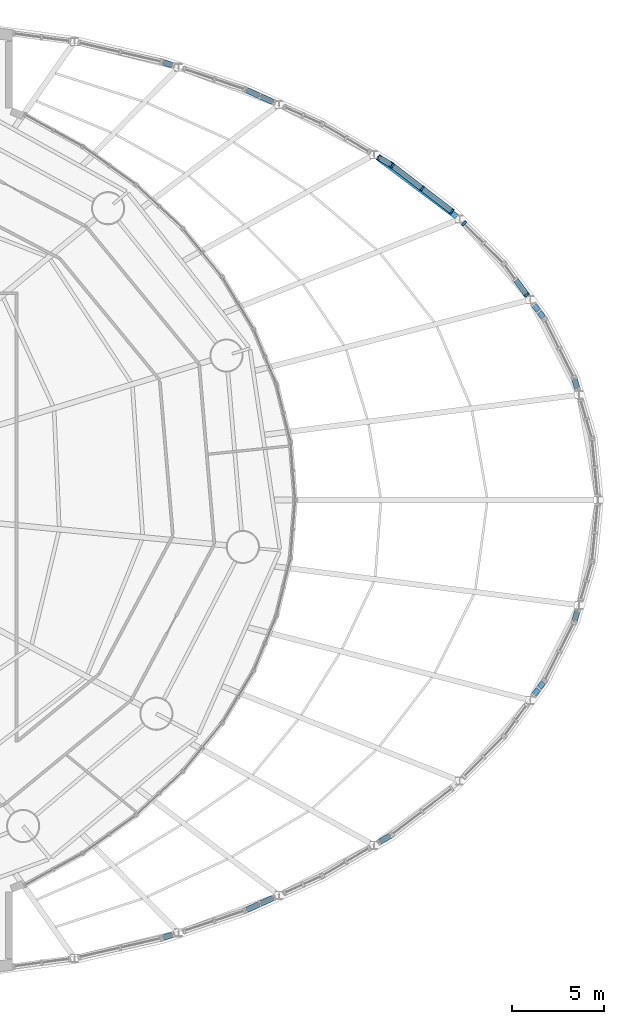
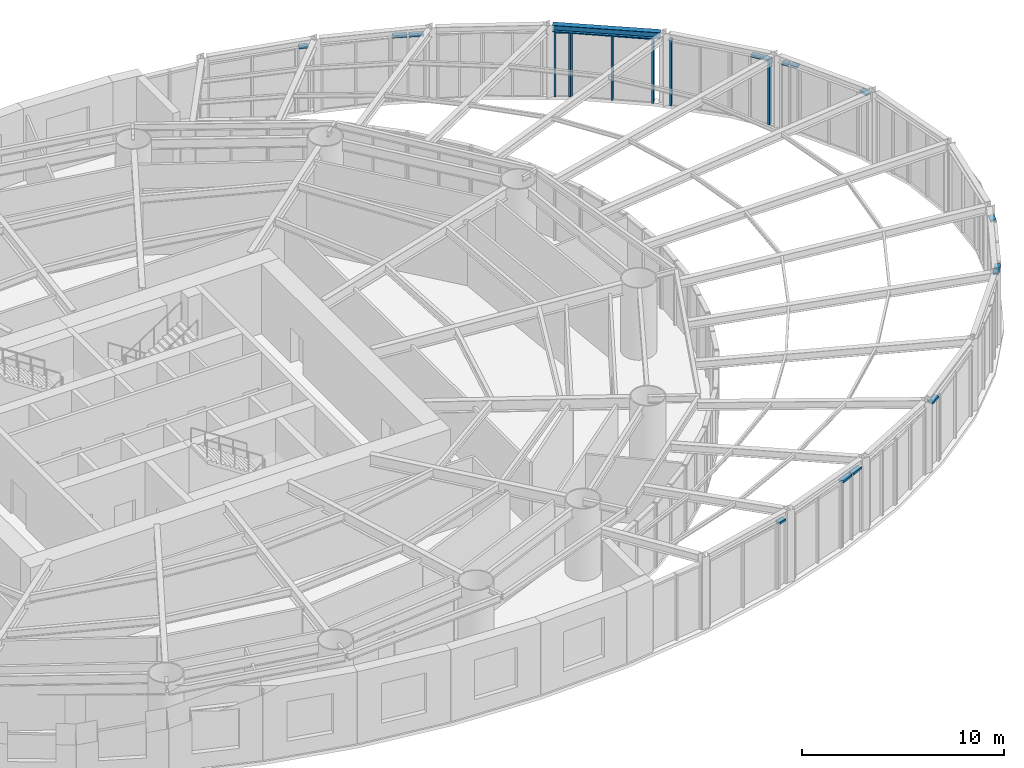
# One storey, part 12 of 23: 24 members, 1 beam, 13 elements without a shape of their own.
"""IFC4 building model written with IfcOpenShell, lengths in metres."""

import ifcopenshell
import ifcopenshell.guid

model = None  # the IFC model being written
_history = None  # IfcOwnerHistory: only IFC2X3 demands one
_inside = {}  # id of a spatial element -> (the spatial element, [elements in it])
_under = {}  # id of a project, library or spatial element -> (it, [spatial elements below it])
_declared = {}  # id of a project -> (the project, [libraries it declares])
_typed = {}  # id of a type object -> (the type object, [elements of that type])
_made_of = {}  # id of a material, layer set ... -> (it, [elements and type objects made of it])


def new_model(schema):
    """Start an empty IFC model of exactly this schema.

    Asked for "IFC4X3", IfcOpenShell would pick the latest addendum, in which some entities
    have other attributes; the version numbers below select the first issue.
    IFC2X3 requires an IfcOwnerHistory on every rooted entity: one is made here for all.
    """
    global model, _history
    if schema == "IFC4X3":
        model = ifcopenshell.file(schema_version=(4, 3, 0, 0))
    else:
        model = ifcopenshell.file(schema=schema)
    _inside.clear()
    _under.clear()
    _declared.clear()
    _typed.clear()
    _made_of.clear()
    _history = None
    if model.schema == "IFC2X3":
        org = make("IfcOrganization", Name="unknown")
        user = make(
            "IfcPersonAndOrganization",
            ThePerson=make("IfcPerson", FamilyName="unknown"),
            TheOrganization=org,
        )
        app = make(
            "IfcApplication",
            ApplicationDeveloper=org,
            Version="unknown",
            ApplicationFullName="unknown",
            ApplicationIdentifier="unknown",
        )
        _history = make(
            "IfcOwnerHistory",
            OwningUser=user,
            OwningApplication=app,
            ChangeAction="ADDED",
            CreationDate=0,
        )
    return model


def make(cls, **values):
    """One entity of the class cls with the attributes given. An attribute that is None is left unset."""
    return model.create_entity(
        cls, **{name: value for name, value in values.items() if value is not None}
    )


def rooted(cls, **values):
    """An entity with a GlobalId (a new one), such as an element, a storey or a relation."""
    return make(cls, GlobalId=ifcopenshell.guid.new(), OwnerHistory=_history, **values)


def si_unit(unit_type, name, prefix=None):
    """IfcSIUnit, for example si_unit("LENGTHUNIT", "METRE", prefix="MILLI")."""
    return make("IfcSIUnit", UnitType=unit_type, Prefix=prefix, Name=name)


def assignment(units):
    """IfcUnitAssignment: the units of a project."""
    return None if units is None else make("IfcUnitAssignment", Units=units)


def point(xyz):
    """IfcCartesianPoint."""
    return None if xyz is None else make("IfcCartesianPoint", Coordinates=xyz)


def direction(xyz):
    """IfcDirection."""
    return None if xyz is None else make("IfcDirection", DirectionRatios=xyz)


def frame(location, z_axis=None, x_axis=None):
    """IfcAxis2Placement3D, a coordinate frame: its origin and axes. An axis left out is left unset."""
    return make(
        "IfcAxis2Placement3D",
        Location=point(location),
        Axis=direction(z_axis),
        RefDirection=direction(x_axis),
    )


def frame_2d(location, x_axis=None):
    """IfcAxis2Placement2D, a coordinate frame in the plane: its origin and x axis."""
    return make(
        "IfcAxis2Placement2D", Location=point(location), RefDirection=direction(x_axis)
    )


def origin():
    """The frame at (0, 0, 0) with its axes left unset."""
    return frame((0.0, 0.0, 0.0))


def origin_2d():
    """The frame at (0, 0) in the plane with its x axis left unset."""
    return frame_2d((0.0, 0.0))


def place(relative_to, where):
    """IfcLocalPlacement: puts the frame where relative to a parent placement (None: the world)."""
    return make(
        "IfcLocalPlacement", PlacementRelTo=relative_to, RelativePlacement=where
    )


def context(
    kind, dimensions, precision=None, world=None, true_north=None, identifier=None
):
    """IfcGeometricRepresentationContext, for example the 3D "Model" context."""
    return make(
        "IfcGeometricRepresentationContext",
        ContextIdentifier=identifier,
        ContextType=kind,
        CoordinateSpaceDimension=dimensions,
        Precision=precision,
        WorldCoordinateSystem=world,
        TrueNorth=true_north,
    )


def subcontext(parent, identifier, kind, view, scale=None):
    """IfcGeometricRepresentationSubContext, for example "Body" below "Model"."""
    return make(
        "IfcGeometricRepresentationSubContext",
        ContextIdentifier=identifier,
        ContextType=kind,
        ParentContext=parent,
        TargetScale=scale,
        TargetView=view,
    )


def project(units=None, contexts=None):
    """IfcProject with its units and contexts."""
    return rooted(
        "IfcProject",
        Name="project",
        RepresentationContexts=contexts,
        UnitsInContext=assignment(units),
    )


def spatial(cls, under=None, at=None, **own):
    """A site, building, storey or space (cls), placed at a placement, below another one or the project."""
    s = rooted(cls, ObjectPlacement=at, **own)
    if under is not None:
        _under.setdefault(under.id(), (under, []))[1].append(s)
    return s


def profile(cls, at=None, kind="AREA", **sizes):
    """A parametric profile (cls). Its sizes go by their IFC names, for example OverallWidth=200.0."""
    return make(cls, ProfileType=kind, Position=at, **sizes)


def rectangle(**sizes):
    """IfcRectangleProfileDef."""
    return profile("IfcRectangleProfileDef", **sizes)


def i_section(**sizes):
    """IfcIShapeProfileDef."""
    return profile("IfcIShapeProfileDef", **sizes)


def extrude(swept, where, along, depth):
    """IfcExtrudedAreaSolid: the profile swept, set in the frame where, extruded along a direction by depth."""
    return make(
        "IfcExtrudedAreaSolid",
        SweptArea=swept,
        Position=where,
        ExtrudedDirection=direction(along),
        Depth=depth,
    )


def shape(context_of_items, identifier, shape_type, items):
    """IfcShapeRepresentation: the items that make up one representation, for example the "Body"."""
    return make(
        "IfcShapeRepresentation",
        ContextOfItems=context_of_items,
        RepresentationIdentifier=identifier,
        RepresentationType=shape_type,
        Items=items,
    )


def material(Name=None, Category=None):
    """IfcMaterial."""
    return make("IfcMaterial", Name=Name, Category=Category)


def material_profile(
    of_material, cross_section, Name=None, Category=None, Priority=None
):
    """IfcMaterialProfile: a cross section and its material."""
    return make(
        "IfcMaterialProfile",
        Name=Name,
        Material=of_material,
        Profile=cross_section,
        Priority=Priority,
        Category=Category,
    )


def profile_set(profiles, Name=None, composite=None):
    """IfcMaterialProfileSet."""
    return make(
        "IfcMaterialProfileSet",
        Name=Name,
        MaterialProfiles=profiles,
        CompositeProfile=composite,
    )


def made_of(thing, what):
    """Note that an element or type object is made of a material, layer set ...; save() writes the relation."""
    if what is not None:
        _made_of.setdefault(what.id(), (what, []))[1].append(thing)
    return thing


def type_object(cls, material=None, **own):
    """A type object (cls), such as IfcWallType, which elements share."""
    return made_of(rooted(cls, **own), material)


def element(
    cls,
    number,
    at=None,
    inside=None,
    cuts=None,
    type_object=None,
    material=None,
    context=None,
    identifier="Body",
    shape_type=None,
    held_by="IfcProductDefinitionShape",
    body=None,
    shapes=None,
    **own,
):
    """One element of the class cls, such as IfcWall. Its Tag is "e" and its number.

    at: its placement. inside: the storey or other place that contains it. cuts: it is an
    opening in that element (IfcRelVoidsElement). A single representation is given by context,
    identifier, shape_type and body (its items); several are given by shapes. held_by: the class
    of the entity that holds the representations. save() writes the other relations.
    """
    e = rooted(cls, Tag="e%d" % number, ObjectPlacement=at, **own)
    if body is not None:
        shapes = [shape(context, identifier, shape_type, body)]
    if shapes is not None:
        e.Representation = make(held_by, Representations=shapes)
    if inside is not None:
        _inside.setdefault(inside.id(), (inside, []))[1].append(e)
    if cuts is not None:
        rooted(
            "IfcRelVoidsElement", RelatingBuildingElement=cuts, RelatedOpeningElement=e
        )
    if type_object is not None:
        _typed.setdefault(type_object.id(), (type_object, []))[1].append(e)
    return made_of(e, material)


def aggregate(whole, parts):
    """IfcRelAggregates: a whole, such as a stair, and the parts it consists of."""
    return rooted("IfcRelAggregates", RelatingObject=whole, RelatedObjects=parts)


def save(model, path):
    """Write the relations noted so far, then the file.

    IfcRelAggregates (storeys below a building ...), IfcRelContainedInSpatialStructure (elements
    in a storey), IfcRelDefinesByType, IfcRelAssociatesMaterial and IfcRelDeclares: one each for
    every whole, place, type object, material and project.
    """
    for whole, parts in _under.values():
        aggregate(whole, parts)
    for where, things in _inside.values():
        rooted(
            "IfcRelContainedInSpatialStructure",
            RelatedElements=things,
            RelatingStructure=where,
        )
    for kind, things in _typed.values():
        rooted("IfcRelDefinesByType", RelatedObjects=things, RelatingType=kind)
    for what, things in _made_of.values():
        rooted("IfcRelAssociatesMaterial", RelatedObjects=things, RelatingMaterial=what)
    for by, libraries in _declared.values():
        rooted("IfcRelDeclares", RelatingContext=by, RelatedDefinitions=libraries)
    model.write(path)


model = new_model("IFC4")

# Units and contexts
model_context = context("Model", 3, precision=1e-05, world=origin(), true_north=direction((0.0, 1.0)))
body_context = subcontext(model_context, "Body", "Model", "MODEL_VIEW")
ifc_project = project(units=[si_unit("LENGTHUNIT", "METRE"), si_unit("AREAUNIT", "SQUARE_METRE"), si_unit("VOLUMEUNIT", "CUBIC_METRE"), si_unit("PLANEANGLEUNIT", "RADIAN"), si_unit("MASSUNIT", "GRAM", prefix="KILO")], contexts=[model_context])

# Site, building, storey
site_placement = place(None, origin())
site = spatial("IfcSite", under=ifc_project, at=site_placement, CompositionType="ELEMENT")
building_placement = place(site_placement, origin())
building = spatial("IfcBuilding", under=site, at=building_placement, Name="Vermilion Reach Broadcast Tower", CompositionType="ELEMENT")
storey_placement = place(building_placement, frame((0.0, 0.0, 31.5)))
storey = spatial("IfcBuildingStorey", under=building, at=storey_placement, Name="L04", CompositionType="ELEMENT", Elevation=31.5)

# Curtain wall, member
ifc_material_1 = material(Name="Low-e laminated clear glass in aluminium frame", Category="aluminium")
curtain_wall_type = type_object("IfcCurtainWallType", Name="Atrium outer wall curtain wall", PredefinedType="NOTDEFINED", material=ifc_material_1)
placement = place(storey_placement, origin())
curtain_wall_1 = element("IfcCurtainWall", 1, at=placement, inside=storey, type_object=curtain_wall_type, Name="Atrium wall L04 15-2", PredefinedType="NOTDEFINED")
ifc_material_2 = material(Name="Anodised aluminium", Category="aluminium")
ifc_material_profile_1 = material_profile(ifc_material_2, rectangle(XDim=0.300048828125, YDim=0.10009765625, at=origin_2d()), Name="Atrium outer wall mullion 100 x 300")
ifc_profile_set_1 = profile_set([ifc_material_profile_1], Name="Anodised aluminium")
member_type_1 = type_object("IfcMemberType", Name="Atrium outer wall mullion 100 x 300", PredefinedType="MULLION", material=ifc_profile_set_1)
member_1_placement = place(storey_placement, frame((35.8427734375, 11.109130859375, 0.0), z_axis=(0.0, 0.0, 1.0), x_axis=(-0.806847463604, -0.590759824697, 0.0)))
member_1 = element("IfcMember", 2, at=member_1_placement, type_object=member_type_1, Name="Atrium wall mullion L04 15-2.1", PredefinedType="MULLION", context=body_context, shape_type="SweptSolid", body=[
    extrude(rectangle(XDim=0.300048828125, YDim=0.10009765625, at=origin_2d()), origin(), (0.0, 0.0, 1.0), 3.9599609375),
])

curtain_wall_2 = element("IfcCurtainWall", 3, at=placement, inside=storey, type_object=curtain_wall_type, Name="Atrium wall L04 16", PredefinedType="NOTDEFINED")
member_2_placement = place(storey_placement, frame((32.43994140625, 14.983154296875, 0.0), z_axis=(0.0, 0.0, 1.0), x_axis=(-0.709925939614, -0.704276337997, 0.0)))
member_2 = element("IfcMember", 4, at=member_2_placement, type_object=member_type_1, Name="Atrium wall mullion L04 16.3", PredefinedType="MULLION", context=body_context, shape_type="SweptSolid", body=[
    extrude(rectangle(XDim=0.300048828125, YDim=0.10009765625, at=origin_2d()), origin(), (0.0, 0.0, 1.0), 3.9599609375),
])
aggregate(curtain_wall_2, [member_2])

# Curtain wall, members
curtain_wall_3 = element("IfcCurtainWall", 5, at=placement, inside=storey, type_object=curtain_wall_type, Name="Atrium wall L04 17", PredefinedType="NOTDEFINED")
member_3_placement = place(storey_placement, frame((31.7861328125, 15.6328125, 0.0), z_axis=(0.0, 0.0, 1.0), x_axis=(-0.609113924113, -0.793082736826, 0.0)))
member_3 = element("IfcMember", 6, at=member_3_placement, type_object=member_type_1, Name="Atrium wall mullion L04 17.1", PredefinedType="MULLION", context=body_context, shape_type="SweptSolid", body=[
    extrude(rectangle(XDim=0.300048828125, YDim=0.10009765625, at=origin_2d()), origin(), (0.0, 0.0, 1.0), 3.9599609375),
])
member_4_placement = place(storey_placement, frame((30.17626953125, 16.869140625, 0.0), z_axis=(0.0, 0.0, 1.0), x_axis=(-0.609113924113, -0.793082736826, 0.0)))
member_4 = element("IfcMember", 7, at=member_4_placement, type_object=member_type_1, Name="Atrium wall mullion L04 17.2", PredefinedType="MULLION", context=body_context, shape_type="SweptSolid", body=[
    extrude(rectangle(XDim=0.300048828125, YDim=0.10009765625, at=origin_2d()), origin(), (0.0, 0.0, 1.0), 3.9599609375),
])
member_5_placement = place(storey_placement, frame((28.566650390625, 18.10546875, 0.0), z_axis=(0.0, 0.0, 1.0), x_axis=(-0.609113924113, -0.793082736826, 0.0)))
member_5 = element("IfcMember", 8, at=member_5_placement, type_object=member_type_1, Name="Atrium wall mullion L04 17.3", PredefinedType="MULLION", context=body_context, shape_type="SweptSolid", body=[
    extrude(rectangle(XDim=0.300048828125, YDim=0.10009765625, at=origin_2d()), origin(), (0.0, 0.0, 1.0), 3.9599609375),
])

curtain_wall_4 = element("IfcCurtainWall", 9, at=placement, inside=storey, type_object=curtain_wall_type, Name="Atrium wall L04 18-1", PredefinedType="NOTDEFINED")
member_6_placement = place(storey_placement, frame((28.48388671875, 18.161376953125, 0.0), z_axis=(0.0, 0.0, 1.0), x_axis=(-0.508589622127, -0.861009057017, 0.0)))
member_6 = element("IfcMember", 10, at=member_6_placement, type_object=member_type_1, Name="Atrium wall mullion L04 18-1.1", PredefinedType="MULLION", context=body_context, shape_type="SweptSolid", body=[
    extrude(rectangle(XDim=0.300048828125, YDim=0.10009765625, at=origin_2d()), origin(), (0.0, 0.0, 1.0), 3.9599609375),
])
member_7_placement = place(storey_placement, frame((27.849609375, 18.5361328125, 0.0), z_axis=(0.0, 0.0, 1.0), x_axis=(-0.508589622127, -0.861009057017, 0.0)))
member_7 = element("IfcMember", 11, at=member_7_placement, type_object=member_type_1, Name="Atrium wall mullion L04 18-1.2", PredefinedType="MULLION", context=body_context, shape_type="SweptSolid", body=[
    extrude(rectangle(XDim=0.300048828125, YDim=0.10009765625, at=origin_2d()), origin(), (0.0, 0.0, 1.0), 3.9599609375),
])

# Curtain wall, member
curtain_wall_5 = element("IfcCurtainWall", 12, at=placement, inside=storey, type_object=curtain_wall_type, Name="Atrium wall L04 03-1", PredefinedType="NOTDEFINED")
ifc_material_3 = material(Name="Anodised aluminium", Category="aluminium")
ifc_material_profile_2 = material_profile(ifc_material_3, rectangle(XDim=0.300048828125, YDim=0.1201171875, at=origin_2d()), Name="Atrium outer wall transom 300 x 120")
ifc_profile_set_2 = profile_set([ifc_material_profile_2], Name="Anodised aluminium")
member_type_2 = type_object("IfcMemberType", Name="Atrium outer wall transom 300 x 120", PredefinedType="USERDEFINED", material=ifc_profile_set_2)
member_8_placement = place(storey_placement, frame((16.18603515625, -23.700439453125, 3.89990234375), z_axis=(0.948944103966, 0.315444270113, 0.0), x_axis=(-0.315444270113, 0.948944103966, 0.0)))
member_8 = element("IfcMember", 13, at=member_8_placement, type_object=member_type_2, Name="Atrium wall transom L04 03-1.1.2", ObjectType="TRANSOM", PredefinedType="USERDEFINED", context=body_context, shape_type="SweptSolid", body=[
    extrude(rectangle(XDim=0.300048828125, YDim=0.1201171875, at=origin_2d()), origin(), (0.0, 0.0, 1.0), 0.467529296875),
])
aggregate(curtain_wall_5, [member_8])

# Curtain wall, members
curtain_wall_6 = element("IfcCurtainWall", 14, at=placement, inside=storey, type_object=curtain_wall_type, Name="Atrium wall L04 04-1", PredefinedType="NOTDEFINED")
member_9_placement = place(storey_placement, frame((20.6826171875, -22.196044921875, 3.89990234375), z_axis=(0.911946820137, 0.41030841722, 0.0), x_axis=(-0.41030841722, 0.911946820137, 0.0)))
member_9 = element("IfcMember", 15, at=member_9_placement, type_object=member_type_2, Name="Atrium wall transom L04 04-1.1.2", ObjectType="TRANSOM", PredefinedType="USERDEFINED", context=body_context, shape_type="SweptSolid", body=[
    extrude(rectangle(XDim=0.300048828125, YDim=0.1201171875, at=origin_2d()), origin(), (0.0, 0.0, 1.0), 0.7216796875),
])
member_10_placement = place(storey_placement, frame((21.431884765625, -21.85888671875, 3.89990234375), z_axis=(0.911877215452, 0.410463084746, 0.0), x_axis=(-0.410463084746, 0.911877215452, 0.0)))
member_10 = element("IfcMember", 16, at=member_10_placement, type_object=member_type_2, Name="Atrium wall transom L04 04-1.2.2", ObjectType="TRANSOM", PredefinedType="USERDEFINED", context=body_context, shape_type="SweptSolid", body=[
    extrude(rectangle(XDim=0.300048828125, YDim=0.1201171875, at=origin_2d()), origin(), (0.0, 0.0, 1.0), 0.72216796875),
])
aggregate(curtain_wall_6, [member_9, member_10])

# Curtain wall, member
curtain_wall_7 = element("IfcCurtainWall", 17, at=placement, inside=storey, type_object=curtain_wall_type, Name="Atrium wall L04 05-2", PredefinedType="NOTDEFINED")
member_11_placement = place(storey_placement, frame((27.892822265625, -18.5107421875, 3.89990234375), z_axis=(0.860857815455, 0.508845577331, 0.0), x_axis=(-0.508845577331, 0.860857815455, 0.0)))
member_11 = element("IfcMember", 18, at=member_11_placement, type_object=member_type_2, Name="Atrium wall transom L04 05-2.1.2", ObjectType="TRANSOM", PredefinedType="USERDEFINED", context=body_context, shape_type="SweptSolid", body=[
    extrude(rectangle(XDim=0.300048828125, YDim=0.1201171875, at=origin_2d()), origin(), (0.0, 0.0, 1.0), 0.63671875),
])
aggregate(curtain_wall_7, [member_11])

# Curtain wall, members
curtain_wall_8 = element("IfcCurtainWall", 19, at=placement, inside=storey, type_object=curtain_wall_type, Name="Atrium wall L04 08-2", PredefinedType="NOTDEFINED")
member_12_placement = place(storey_placement, frame((36.255126953125, -10.5458984375, 3.89990234375), z_axis=(0.590584029438, 0.806976148454, 0.0), x_axis=(-0.806976148454, 0.590584029438, 0.0)))
member_12 = element("IfcMember", 20, at=member_12_placement, type_object=member_type_2, Name="Atrium wall transom L04 08-2.1.2", ObjectType="TRANSOM", PredefinedType="USERDEFINED", context=body_context, shape_type="SweptSolid", body=[
    extrude(rectangle(XDim=0.300048828125, YDim=0.1201171875, at=origin_2d()), origin(), (0.0, 0.0, 1.0), 0.36669921875),
])
member_13_placement = place(storey_placement, frame((36.53076171875, -10.169189453125, 3.89990234375), z_axis=(0.59101736398, 0.806658834622, 0.0), x_axis=(-0.806658834622, 0.59101736398, 0.0)))
member_13 = element("IfcMember", 21, at=member_13_placement, type_object=member_type_2, Name="Atrium wall transom L04 08-2.2.2", ObjectType="TRANSOM", PredefinedType="USERDEFINED", context=body_context, shape_type="SweptSolid", body=[
    extrude(rectangle(XDim=0.300048828125, YDim=0.1201171875, at=origin_2d()), origin(), (0.0, 0.0, 1.0), 0.36669921875),
])
aggregate(curtain_wall_8, [member_12, member_13])

# Curtain wall, member
curtain_wall_9 = element("IfcCurtainWall", 22, at=placement, inside=storey, type_object=curtain_wall_type, Name="Atrium wall L04 10-1", PredefinedType="NOTDEFINED")
member_14_placement = place(storey_placement, frame((38.434814453125, -6.5224609375, 3.89990234375), z_axis=(0.283208468401, 0.959058373315, 0.0), x_axis=(-0.959058373315, 0.283208468401, 0.0)))
member_14 = element("IfcMember", 23, at=member_14_placement, type_object=member_type_2, Name="Atrium wall transom L04 10-1.1.2", ObjectType="TRANSOM", PredefinedType="USERDEFINED", context=body_context, shape_type="SweptSolid", body=[
    extrude(rectangle(XDim=0.300048828125, YDim=0.1201171875, at=origin_2d()), origin(), (0.0, 0.0, 1.0), 0.48193359375),
])
aggregate(curtain_wall_9, [member_14])

curtain_wall_10 = element("IfcCurtainWall", 24, at=placement, inside=storey, type_object=curtain_wall_type, Name="Atrium wall L04 13-2", PredefinedType="NOTDEFINED")
member_15_placement = place(storey_placement, frame((38.5712890625, 6.060302734375, 3.89990234375), z_axis=(-0.283208468401, 0.959058373315, 0.0), x_axis=(-0.959058373315, -0.283208468401, 0.0)))
member_15 = element("IfcMember", 25, at=member_15_placement, type_object=member_type_2, Name="Atrium wall transom L04 13-2.1.2", ObjectType="TRANSOM", PredefinedType="USERDEFINED", context=body_context, shape_type="SweptSolid", body=[
    extrude(rectangle(XDim=0.300048828125, YDim=0.1201171875, at=origin_2d()), origin(), (0.0, 0.0, 1.0), 0.48193359375),
])
aggregate(curtain_wall_10, [member_15])

# Curtain wall, members
curtain_wall_11 = element("IfcCurtainWall", 26, at=placement, inside=storey, type_object=curtain_wall_type, Name="Atrium wall L04 15-1", PredefinedType="NOTDEFINED")
member_16_placement = place(storey_placement, frame((36.74755859375, 9.873291015625, 3.89990234375), z_axis=(-0.59101736398, 0.806658834622, 0.0), x_axis=(-0.806658834622, -0.59101736398, 0.0)))
member_16 = element("IfcMember", 27, at=member_16_placement, type_object=member_type_2, Name="Atrium wall transom L04 15-1.1.2", ObjectType="TRANSOM", PredefinedType="USERDEFINED", context=body_context, shape_type="SweptSolid", body=[
    extrude(rectangle(XDim=0.300048828125, YDim=0.1201171875, at=origin_2d()), origin(), (0.0, 0.0, 1.0), 0.36669921875),
])
member_17_placement = place(storey_placement, frame((36.4716796875, 10.25, 3.89990234375), z_axis=(-0.590584029438, 0.806976148454, 0.0), x_axis=(-0.806976148454, -0.590584029438, 0.0)))
member_17 = element("IfcMember", 28, at=member_17_placement, type_object=member_type_2, Name="Atrium wall transom L04 15-1.2.2", ObjectType="TRANSOM", PredefinedType="USERDEFINED", context=body_context, shape_type="SweptSolid", body=[
    extrude(rectangle(XDim=0.300048828125, YDim=0.1201171875, at=origin_2d()), origin(), (0.0, 0.0, 1.0), 0.36669921875),
])
aggregate(curtain_wall_11, [member_16, member_17])

# Member
member_18_placement = place(storey_placement, frame((35.813232421875, 11.1494140625, 3.89990234375), z_axis=(-0.590849188932, 0.806782025047, 0.0), x_axis=(-0.806782025047, -0.590849188932, 0.0)))
member_18 = element("IfcMember", 29, at=member_18_placement, type_object=member_type_2, Name="Atrium wall transom L04 15-2.1.2", ObjectType="TRANSOM", PredefinedType="USERDEFINED", context=body_context, shape_type="SweptSolid", body=[
    extrude(rectangle(XDim=0.300048828125, YDim=0.1201171875, at=origin_2d()), origin(), (0.0, 0.0, 1.0), 0.926025390625),
])

aggregate(curtain_wall_1, [member_1, member_18])

member_19_placement = place(storey_placement, frame((31.74658203125, 15.663330078125, 3.89990234375), z_axis=(-0.79307054721, 0.609129794993, 0.0), x_axis=(-0.609129794993, -0.79307054721, 0.0)))
member_19 = element("IfcMember", 30, at=member_19_placement, type_object=member_type_2, Name="Atrium wall transom L04 17.1.2", ObjectType="TRANSOM", PredefinedType="USERDEFINED", context=body_context, shape_type="SweptSolid", body=[
    extrude(rectangle(XDim=0.300048828125, YDim=0.1201171875, at=origin_2d()), origin(), (0.0, 0.0, 1.0), 1.929931640625),
])

member_20_placement = place(storey_placement, frame((30.13671875, 16.899658203125, 3.89990234375), z_axis=(-0.79307054721, 0.609129794993, 0.0), x_axis=(-0.609129794993, -0.79307054721, 0.0)))
member_20 = element("IfcMember", 31, at=member_20_placement, type_object=member_type_2, Name="Atrium wall transom L04 17.2.2", ObjectType="TRANSOM", PredefinedType="USERDEFINED", context=body_context, shape_type="SweptSolid", body=[
    extrude(rectangle(XDim=0.300048828125, YDim=0.1201171875, at=origin_2d()), origin(), (0.0, 0.0, 1.0), 1.929931640625),
])

aggregate(curtain_wall_3, [member_3, member_4, member_5, member_19, member_20])

member_21_placement = place(storey_placement, frame((28.44091796875, 18.186767578125, 3.89990234375), z_axis=(-0.860857815455, 0.508845577331, 0.0), x_axis=(-0.508845577331, -0.860857815455, 0.0)))
member_21 = element("IfcMember", 32, at=member_21_placement, type_object=member_type_2, Name="Atrium wall transom L04 18-1.1.2", ObjectType="TRANSOM", PredefinedType="USERDEFINED", context=body_context, shape_type="SweptSolid", body=[
    extrude(rectangle(XDim=0.300048828125, YDim=0.1201171875, at=origin_2d()), origin(), (0.0, 0.0, 1.0), 0.63671875),
])

aggregate(curtain_wall_4, [member_6, member_7, member_21])

# Curtain wall, members
curtain_wall_12 = element("IfcCurtainWall", 33, at=placement, inside=storey, type_object=curtain_wall_type, Name="Atrium wall L04 19-2", PredefinedType="NOTDEFINED")
member_22_placement = place(storey_placement, frame((22.09033203125, 21.5625, 3.89990234375), z_axis=(-0.911877215452, 0.410463084746, 0.0), x_axis=(-0.410463084746, -0.911877215452, 0.0)))
member_22 = element("IfcMember", 34, at=member_22_placement, type_object=member_type_2, Name="Atrium wall transom L04 19-2.1.2", ObjectType="TRANSOM", PredefinedType="USERDEFINED", context=body_context, shape_type="SweptSolid", body=[
    extrude(rectangle(XDim=0.300048828125, YDim=0.1201171875, at=origin_2d()), origin(), (0.0, 0.0, 1.0), 0.72216796875),
])
member_23_placement = place(storey_placement, frame((21.3408203125, 21.89990234375, 3.89990234375), z_axis=(-0.911946820137, 0.41030841722, 0.0), x_axis=(-0.41030841722, -0.911946820137, 0.0)))
member_23 = element("IfcMember", 35, at=member_23_placement, type_object=member_type_2, Name="Atrium wall transom L04 19-2.2.2", ObjectType="TRANSOM", PredefinedType="USERDEFINED", context=body_context, shape_type="SweptSolid", body=[
    extrude(rectangle(XDim=0.300048828125, YDim=0.1201171875, at=origin_2d()), origin(), (0.0, 0.0, 1.0), 0.7216796875),
])
aggregate(curtain_wall_12, [member_22, member_23])

# Curtain wall, member
curtain_wall_13 = element("IfcCurtainWall", 36, at=placement, inside=storey, type_object=curtain_wall_type, Name="Atrium wall L04 20-2", PredefinedType="NOTDEFINED")
member_24_placement = place(storey_placement, frame((16.629638671875, 23.552978515625, 3.89990234375), z_axis=(-0.948944103966, 0.315444270113, 0.0), x_axis=(-0.315444270113, -0.948944103966, 0.0)))
member_24 = element("IfcMember", 37, at=member_24_placement, type_object=member_type_2, Name="Atrium wall transom L04 20-2.1.2", ObjectType="TRANSOM", PredefinedType="USERDEFINED", context=body_context, shape_type="SweptSolid", body=[
    extrude(rectangle(XDim=0.300048828125, YDim=0.1201171875, at=origin_2d()), origin(), (0.0, 0.0, 1.0), 0.467529296875),
])
aggregate(curtain_wall_13, [member_24])

# Beam
ifc_material_4 = material(Name="Steel S355J2", Category="steel")
ifc_material_profile_3 = material_profile(ifc_material_4, i_section(OverallWidth=0.300048828125, OverallDepth=0.389892578125, WebThickness=0.010009765625, FlangeThickness=0.01611328125, at=origin_2d()), Name="S355J2 HM 390x300x10x16")
ifc_profile_set_3 = profile_set([ifc_material_profile_3], Name="Steel S355J2")
beam_type = type_object("IfcBeamType", Name="RM1 HM 390x300x10x16", PredefinedType="BEAM", material=ifc_profile_set_3)
beam_placement = place(storey_placement, frame((32.035888671875, 15.34521484375, 4.155029296875), z_axis=(-0.799426308376, 0.600764161278, 0.0), x_axis=(-0.600764161278, -0.799426308376, 0.0)))
element("IfcBeam", 38, at=beam_placement, inside=storey, type_object=beam_type, Name="Rim beam AP11-AP12", PredefinedType="BEAM", context=body_context, shape_type="SweptSolid", body=[
    extrude(i_section(OverallWidth=0.300048828125, OverallDepth=0.389892578125, WebThickness=0.010009765625, FlangeThickness=0.01611328125, at=origin_2d()), origin(), (0.0, 0.0, 1.0), 5.365478515625),
])

save(model, "model.ifc")
